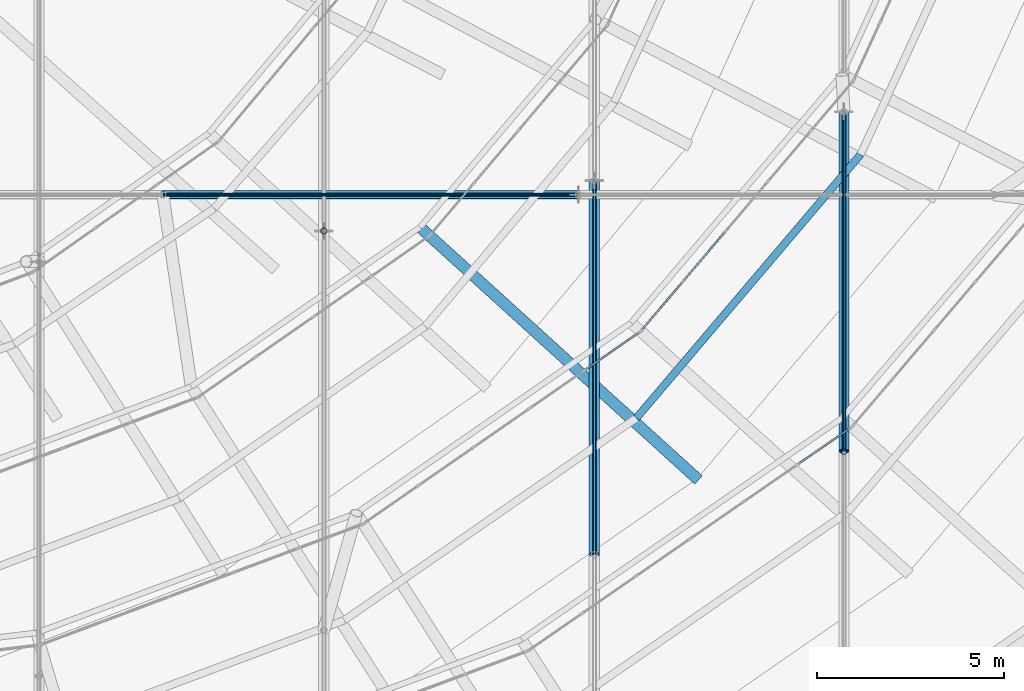
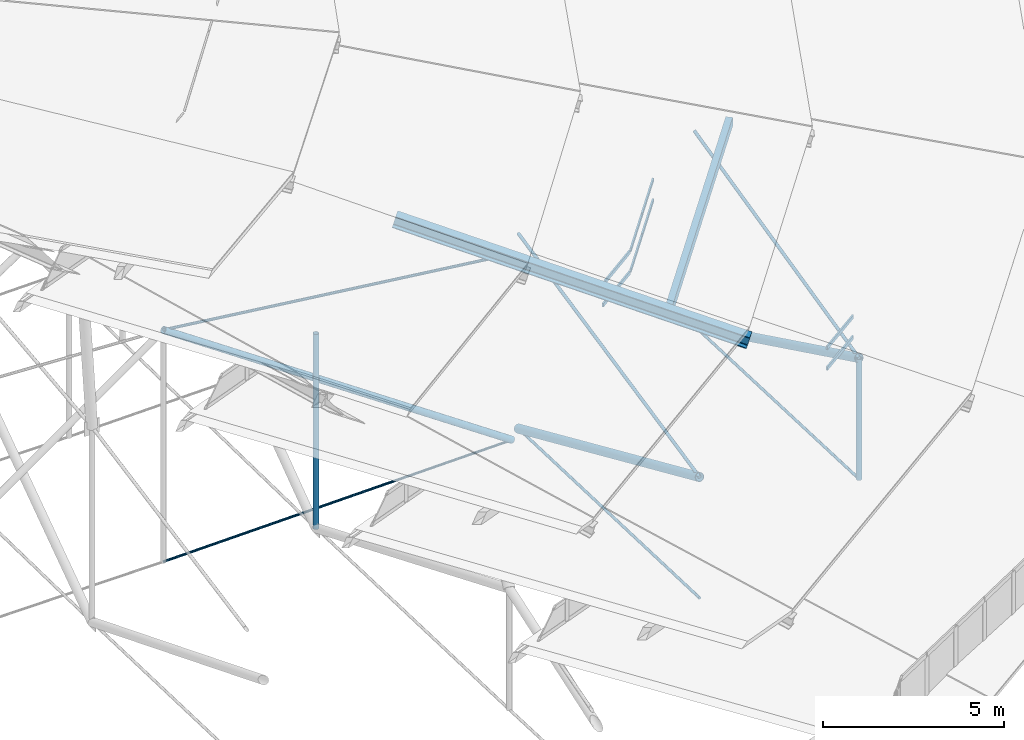
# One storey, part 78 of 173: 21 members, 3 elements without a shape of their own.
"""IFC4 building model written with IfcOpenShell, lengths in metres."""

from ifc_helpers import new_model, si_unit, direction, frame, origin, origin_2d, place, context, subcontext, project, spatial, rectangle, hollow_rectangle, circle, hollow_circle, i_section, extrude, material, material_profile, profile_set, type_object, element, aggregate, save


model = new_model("IFC4")

# Units and contexts
model_context = context("Model", 3, precision=1e-05, world=origin(), true_north=direction((0.0, 1.0)))
body_context = subcontext(model_context, "Body", "Model", "MODEL_VIEW")
ifc_project = project(units=[si_unit("LENGTHUNIT", "METRE"), si_unit("AREAUNIT", "SQUARE_METRE"), si_unit("VOLUMEUNIT", "CUBIC_METRE"), si_unit("PLANEANGLEUNIT", "RADIAN"), si_unit("MASSUNIT", "GRAM", prefix="KILO")], contexts=[model_context])

# Site, building, storey
site_placement = place(None, origin())
site = spatial("IfcSite", under=ifc_project, at=site_placement, CompositionType="ELEMENT")
building_placement = place(site_placement, origin())
building = spatial("IfcBuilding", under=site, at=building_placement, Name="Glasvene Arena", CompositionType="ELEMENT")
storey_placement = place(building_placement, frame((0.0, 0.0, 28.800048828125)))
storey = spatial("IfcBuildingStorey", under=building, at=storey_placement, Name="RF", CompositionType="ELEMENT", Elevation=28.800048828125)

# Curtain wall, members
ifc_material_1 = material(Name="Low-emissivity laminated double glazing", Category="glass")
curtain_wall_type_1 = type_object("IfcCurtainWallType", Name="CW-PET1-1054x75", PredefinedType="USERDEFINED", material=ifc_material_1)
curtain_wall_1_placement = place(storey_placement, frame((112.925048828125, 40.350830078125, 0.0)))
curtain_wall_1 = element("IfcCurtainWall", 1, at=curtain_wall_1_placement, inside=storey, type_object=curtain_wall_type_1, Name="Petal ring 1-2 clerestory curtain wall 21", ObjectType="CURTAIN WALL", PredefinedType="USERDEFINED")
ifc_material_2 = material(Name="Anodised architectural aluminium", Category="aluminium")
ifc_material_profile_1 = material_profile(ifc_material_2, rectangle(XDim=0.050048828125, YDim=0.1201171875, at=origin_2d()), Name="ALU TRANSOM 50x120")
ifc_profile_set_1 = profile_set([ifc_material_profile_1], Name="Anodised architectural aluminium")
member_type_1 = type_object("IfcMemberType", Name="CW-TRN-120", PredefinedType="USERDEFINED", material=ifc_profile_set_1)
member_1_placement = place(storey_placement, frame((120.16845703125, 45.357666015625, 2.60498046875), z_axis=(0.822547539118, 0.568696356495, 0.0), x_axis=(-0.568696356495, 0.822547539118, 0.0)))
member_1 = element("IfcMember", 2, at=member_1_placement, type_object=member_type_1, Name="CW-084 transom 6.1", ObjectType="TRANSOM", PredefinedType="USERDEFINED", context=body_context, shape_type="SweptSolid", body=[
    extrude(rectangle(XDim=0.050048828125, YDim=0.1201171875, at=origin_2d()), origin(), (0.0, 0.0, 1.0), 1.68115234375),
])
member_2_placement = place(storey_placement, frame((120.16845703125, 45.357666015625, 3.304931640625), z_axis=(0.822547539118, 0.568696356495, 0.0), x_axis=(-0.568696356495, 0.822547539118, 0.0)))
member_2 = element("IfcMember", 3, at=member_2_placement, type_object=member_type_1, Name="CW-084 transom 6.2", ObjectType="TRANSOM", PredefinedType="USERDEFINED", context=body_context, shape_type="SweptSolid", body=[
    extrude(rectangle(XDim=0.050048828125, YDim=0.1201171875, at=origin_2d()), origin(), (0.0, 0.0, 1.0), 1.68115234375),
])
aggregate(curtain_wall_1, [member_1, member_2])

curtain_wall_type_2 = type_object("IfcCurtainWallType", Name="CW-PET2-905x75", PredefinedType="USERDEFINED", material=ifc_material_1)
curtain_wall_2_placement = place(storey_placement, frame((108.5, 43.74755859375, 0.0)))
curtain_wall_2 = element("IfcCurtainWall", 4, at=curtain_wall_2_placement, inside=storey, type_object=curtain_wall_type_2, Name="Petal ring 2-3 clerestory curtain wall 21", ObjectType="CURTAIN WALL", PredefinedType="USERDEFINED")
member_3_placement = place(storey_placement, frame((114.468505859375, 47.88720703125, 5.204833984375), z_axis=(0.821690330378, 0.569934207575, 0.0), x_axis=(-0.569934207575, 0.821690330378, 0.0)))
member_3 = element("IfcMember", 5, at=member_3_placement, type_object=member_type_1, Name="CW-090 transom 5.1", ObjectType="TRANSOM", PredefinedType="USERDEFINED", context=body_context, shape_type="SweptSolid", body=[
    extrude(rectangle(XDim=0.050048828125, YDim=0.1201171875, at=origin_2d()), origin(), (0.0, 0.0, 1.0), 1.73486328125),
])
member_4_placement = place(storey_placement, frame((114.468505859375, 47.88720703125, 5.905029296875), z_axis=(0.821690330378, 0.569934207575, 0.0), x_axis=(-0.569934207575, 0.821690330378, 0.0)))
member_4 = element("IfcMember", 6, at=member_4_placement, type_object=member_type_1, Name="CW-090 transom 5.2", ObjectType="TRANSOM", PredefinedType="USERDEFINED", context=body_context, shape_type="SweptSolid", body=[
    extrude(rectangle(XDim=0.050048828125, YDim=0.1201171875, at=origin_2d()), origin(), (0.0, 0.0, 1.0), 1.73486328125),
])
aggregate(curtain_wall_2, [member_3, member_4])

curtain_wall_type_3 = type_object("IfcCurtainWallType", Name="CW-PET2-882x75", PredefinedType="USERDEFINED", material=ifc_material_1)
curtain_wall_3_placement = place(storey_placement, frame((115.93505859375, 48.904296875, 0.0)))
curtain_wall_3 = element("IfcCurtainWall", 7, at=curtain_wall_3_placement, inside=storey, type_object=curtain_wall_type_3, Name="Petal ring 2-3 clerestory curtain wall 22", ObjectType="CURTAIN WALL", PredefinedType="USERDEFINED")
member_5_placement = place(storey_placement, frame((115.967529296875, 48.942626953125, 5.204833984375), z_axis=(0.647199107882, 0.762321005061, 0.0), x_axis=(-0.762321005061, 0.647199107882, 0.0)))
member_5 = element("IfcMember", 8, at=member_5_placement, type_object=member_type_1, Name="CW-089 transom 1.1", ObjectType="TRANSOM", PredefinedType="USERDEFINED", context=body_context, shape_type="SweptSolid", body=[
    extrude(rectangle(XDim=0.050048828125, YDim=0.1201171875, at=origin_2d()), origin(), (0.0, 0.0, 1.0), 1.68798828125),
])
member_6_placement = place(storey_placement, frame((115.967529296875, 48.942626953125, 5.905029296875), z_axis=(0.647199107882, 0.762321005061, 0.0), x_axis=(-0.762321005061, 0.647199107882, 0.0)))
member_6 = element("IfcMember", 9, at=member_6_placement, type_object=member_type_1, Name="CW-089 transom 1.2", ObjectType="TRANSOM", PredefinedType="USERDEFINED", context=body_context, shape_type="SweptSolid", body=[
    extrude(rectangle(XDim=0.050048828125, YDim=0.1201171875, at=origin_2d()), origin(), (0.0, 0.0, 1.0), 1.68798828125),
])
member_7_placement = place(storey_placement, frame((117.09228515625, 50.267578125, 5.204833984375), z_axis=(0.647180817857, 0.76233653264, 0.0), x_axis=(-0.76233653264, 0.647180817857, 0.0)))
member_7 = element("IfcMember", 10, at=member_7_placement, type_object=member_type_1, Name="CW-089 transom 2.1", ObjectType="TRANSOM", PredefinedType="USERDEFINED", context=body_context, shape_type="SweptSolid", body=[
    extrude(rectangle(XDim=0.050048828125, YDim=0.1201171875, at=origin_2d()), origin(), (0.0, 0.0, 1.0), 1.713134765625),
])
member_8_placement = place(storey_placement, frame((117.09228515625, 50.267578125, 5.905029296875), z_axis=(0.647180817857, 0.76233653264, 0.0), x_axis=(-0.76233653264, 0.647180817857, 0.0)))
member_8 = element("IfcMember", 11, at=member_8_placement, type_object=member_type_1, Name="CW-089 transom 2.2", ObjectType="TRANSOM", PredefinedType="USERDEFINED", context=body_context, shape_type="SweptSolid", body=[
    extrude(rectangle(XDim=0.050048828125, YDim=0.1201171875, at=origin_2d()), origin(), (0.0, 0.0, 1.0), 1.713134765625),
])
aggregate(curtain_wall_3, [member_5, member_6, member_7, member_8])

# Members
ifc_material_3 = material(Name="High-strength steel spiral strand S460", Category="steel")
ifc_material_profile_2 = material_profile(ifc_material_3, circle(Radius=0.052490234375, at=origin_2d()), Name="LCSS D105")
ifc_profile_set_2 = profile_set([ifc_material_profile_2], Name="High-strength steel spiral strand S460")
member_type_2 = type_object("IfcMemberType", Name="MB-CABLE-105", PredefinedType="USERDEFINED", material=ifc_profile_set_2)
member_9_placement = place(storey_placement, frame((121.389404296875, 45.69580078125, 2.328857421875), z_axis=(0.0, 0.973356181903, 0.229298371455), x_axis=(-1.0, 0.0, 0.0)))
element("IfcMember", 12, at=member_9_placement, inside=storey, type_object=member_type_2, Name="Upper lens roof cable NS01-02", ObjectType="ROOF CABLE", PredefinedType="USERDEFINED", context=body_context, shape_type="SweptSolid", body=[
    extrude(circle(Radius=0.052490234375, at=origin_2d()), origin(), (0.0, 0.0, 1.0), 9.350341796875),
])
member_10_placement = place(storey_placement, frame((114.699462890625, 42.928466796875, 2.328857421875), z_axis=(0.0, 0.977881115571, 0.209161477835), x_axis=(-1.0, 0.0, 0.0)))
element("IfcMember", 13, at=member_10_placement, inside=storey, type_object=member_type_2, Name="Upper lens roof cable NS02-02", ObjectType="ROOF CABLE", PredefinedType="USERDEFINED", context=body_context, shape_type="SweptSolid", body=[
    extrude(circle(Radius=0.052490234375, at=origin_2d()), origin(), (0.0, 0.0, 1.0), 10.250732421875),
])
ifc_material_profile_3 = material_profile(ifc_material_3, circle(Radius=0.03759765625, at=origin_2d()), Name="LCSS D75")
ifc_profile_set_3 = profile_set([ifc_material_profile_3], Name="High-strength steel spiral strand S460")
member_type_3 = type_object("IfcMemberType", Name="MB-CABLE-75", PredefinedType="USERDEFINED", material=ifc_profile_set_3)
member_11_placement = place(storey_placement, frame((103.1376953125, 52.5703125, -2.328125), z_axis=(0.999812725831, 0.0, 0.019352345227), x_axis=(0.0, 1.0, 0.0)))
element("IfcMember", 14, at=member_11_placement, inside=storey, type_object=member_type_3, Name="Lower stabilization roof cable EW01-06", ObjectType="ROOF CABLE", PredefinedType="USERDEFINED", context=body_context, shape_type="SweptSolid", body=[
    extrude(circle(Radius=0.03759765625, at=origin_2d()), origin(), (0.0, 0.0, 1.0), 11.1396484375),
])
ifc_material_profile_4 = material_profile(ifc_material_3, circle(Radius=0.044921875, at=origin_2d()), Name="LCSS D90")
ifc_profile_set_4 = profile_set([ifc_material_profile_4], Name="High-strength steel spiral strand S460")
member_type_4 = type_object("IfcMemberType", Name="MB-CABLE-90", PredefinedType="USERDEFINED", material=ifc_profile_set_4)
member_12_placement = place(storey_placement, frame((121.389404296875, 45.69580078125, -1.753173828125), z_axis=(0.0, 0.999221336832, -0.039455291392), x_axis=(-1.0, 0.0, 0.0)))
element("IfcMember", 15, at=member_12_placement, inside=storey, type_object=member_type_4, Name="Lower stabilization roof cable NS01-02", ObjectType="ROOF CABLE", PredefinedType="USERDEFINED", context=body_context, shape_type="SweptSolid", body=[
    extrude(circle(Radius=0.044921875, at=origin_2d()), origin(), (0.0, 0.0, 1.0), 9.1083984375),
])
member_13_placement = place(storey_placement, frame((114.699462890625, 42.928466796875, -1.753173828125), z_axis=(0.0, 0.999357945896, -0.035828703209), x_axis=(-1.0, 0.0, 0.0)))
element("IfcMember", 16, at=member_13_placement, inside=storey, type_object=member_type_4, Name="Lower stabilization roof cable NS02-02", ObjectType="ROOF CABLE", PredefinedType="USERDEFINED", context=body_context, shape_type="SweptSolid", body=[
    extrude(circle(Radius=0.044921875, at=origin_2d()), origin(), (0.0, 0.0, 1.0), 10.0302734375),
])
member_14_placement = place(storey_placement, frame((103.1376953125, 52.5703125, 5.499267578125), z_axis=(0.992921261552, 0.0, -0.118774443199), x_axis=(0.0, 1.0, 0.0)))
element("IfcMember", 17, at=member_14_placement, inside=storey, type_object=member_type_4, Name="Upper lens roof cable EW01-06", ObjectType="ROOF CABLE", PredefinedType="USERDEFINED", context=body_context, shape_type="SweptSolid", body=[
    extrude(circle(Radius=0.044921875, at=origin_2d()), origin(), (0.0, 0.0, 1.0), 11.216796875),
])
ifc_material_4 = material(Name="Steel S355J2", Category="steel")
ifc_material_profile_5 = material_profile(ifc_material_4, i_section(OverallWidth=0.300048828125, OverallDepth=0.39990234375, WebThickness=0.013427734375, FlangeThickness=0.02392578125, FilletRadius=0.027099609375, at=origin_2d()), Name="HEB 400")
ifc_profile_set_5 = profile_set([ifc_material_profile_5], Name="Steel S355J2")
member_type_5 = type_object("IfcMemberType", Name="MB-CHORD-HEB400", PredefinedType="CHORD", material=ifc_profile_set_5)
member_15_placement = place(storey_placement, frame((117.455078125, 44.961181640625, 4.75), z_axis=(-0.716730167229, 0.650621584181, 0.25097693436), x_axis=(-0.672134549443, -0.74042902931, 0.0)))
element("IfcMember", 18, at=member_15_placement, inside=storey, type_object=member_type_5, Name="Petal ring 3 radial rib 22", PredefinedType="CHORD", context=body_context, shape_type="SweptSolid", body=[
    extrude(i_section(OverallWidth=0.300048828125, OverallDepth=0.39990234375, WebThickness=0.013427734375, FlangeThickness=0.02392578125, FilletRadius=0.027099609375, at=origin_2d()), origin(), (0.0, 0.0, 1.0), 10.35888671875),
])
ifc_material_profile_6 = material_profile(ifc_material_4, hollow_rectangle(XDim=0.199951171875, YDim=0.300048828125, WallThickness=0.012451171875, at=origin_2d()), Name="RHS 300x200x12.5")
ifc_profile_set_6 = profile_set([ifc_material_profile_6], Name="Steel S355J2")
member_type_6 = type_object("IfcMemberType", Name="MB-PURLIN-RHS300", PredefinedType="PURLIN", material=ifc_profile_set_6)
member_16_placement = place(storey_placement, frame((115.82861328125, 46.587646484375, 5.33935546875), z_axis=(0.647909031053, 0.761717721653, 0.0), x_axis=(-0.761717721653, 0.647909031053, 0.0)))
element("IfcMember", 19, at=member_16_placement, inside=storey, type_object=member_type_6, Name="Petal ring 3 outer purlin 22", PredefinedType="PURLIN", context=body_context, shape_type="SweptSolid", body=[
    extrude(hollow_rectangle(XDim=0.199951171875, YDim=0.300048828125, WallThickness=0.012451171875, at=origin_2d()), origin(), (0.0, 0.0, 1.0), 9.271484375),
])
ifc_material_profile_7 = material_profile(ifc_material_4, hollow_circle(Radius=0.084228515625, WallThickness=0.008056640625, at=origin_2d()), Name="CHS 168.3x8.0")
ifc_profile_set_7 = profile_set([ifc_material_profile_7], Name="Steel S355J2")
member_type_7 = type_object("IfcMemberType", Name="MB-WEB-CHS168", PredefinedType="BRACE", material=ifc_profile_set_7)
member_17_placement = place(storey_placement, frame((121.389404296875, 45.69580078125, -1.753173828125), z_axis=(0.0, 0.0, 1.0), x_axis=(1.0, 0.0, 0.0)))
element("IfcMember", 20, at=member_17_placement, inside=storey, type_object=member_type_7, Name="Cable-truss vertical strut NS01-01", PredefinedType="BRACE", context=body_context, shape_type="SweptSolid", body=[
    extrude(hollow_circle(Radius=0.084228515625, WallThickness=0.008056640625, at=origin_2d()), origin(), (0.0, 0.0, 1.0), 4.08203125),
])
member_18_placement = place(storey_placement, frame((107.45068359375, 51.601318359375, -2.112548828125), z_axis=(0.0, 0.0, 1.0), x_axis=(1.0, 0.0, 0.0)))
element("IfcMember", 21, at=member_18_placement, inside=storey, type_object=member_type_7, Name="Cable-truss vertical strut NS03-02", PredefinedType="BRACE", context=body_context, shape_type="SweptSolid", body=[
    extrude(hollow_circle(Radius=0.084228515625, WallThickness=0.008056640625, at=origin_2d()), origin(), (0.0, 0.0, 1.0), 6.58544921875),
])
ifc_material_profile_8 = material_profile(ifc_material_4, hollow_circle(Radius=0.109619140625, WallThickness=0.010009765625, at=origin_2d()), Name="CHS 219.1x10.0")
ifc_profile_set_8 = profile_set([ifc_material_profile_8], Name="Steel S355J2")
member_type_8 = type_object("IfcMemberType", Name="MB-WEB-CHS219", PredefinedType="BRACE", material=ifc_profile_set_8)
member_19_placement = place(storey_placement, frame((103.1376953125, 52.5703125, 5.499267578125), z_axis=(0.825602347072, 0.0, -0.564252394332), x_axis=(0.0, 1.0, 0.0)))
element("IfcMember", 22, at=member_19_placement, inside=storey, type_object=member_type_8, Name="Cable-truss diagonal web strut EW01-06", PredefinedType="BRACE", context=body_context, shape_type="SweptSolid", body=[
    extrude(hollow_circle(Radius=0.109619140625, WallThickness=0.010009765625, at=origin_2d()), origin(), (0.0, 0.0, 1.0), 13.489990234375),
])
ifc_material_profile_9 = material_profile(ifc_material_4, hollow_circle(Radius=0.136474609375, WallThickness=0.012451171875, at=origin_2d()), Name="CHS 273.0x12.5")
ifc_profile_set_9 = profile_set([ifc_material_profile_9], Name="Steel S355J2")
member_type_9 = type_object("IfcMemberType", Name="MB-WEB-CHS273", PredefinedType="BRACE", material=ifc_profile_set_9)
member_20_placement = place(storey_placement, frame((121.389404296875, 45.69580078125, 2.328857421875), z_axis=(0.0, 0.898700781231, -0.438562316912), x_axis=(-1.0, 0.0, 0.0)))
element("IfcMember", 23, at=member_20_placement, inside=storey, type_object=member_type_9, Name="Cable-truss diagonal web strut NS01-02", PredefinedType="BRACE", context=body_context, shape_type="SweptSolid", body=[
    extrude(hollow_circle(Radius=0.136474609375, WallThickness=0.012451171875, at=origin_2d()), origin(), (0.0, 0.0, 1.0), 10.127197265625),
])
member_21_placement = place(storey_placement, frame((114.699462890625, 42.928466796875, 2.328857421875), z_axis=(0.0, 0.914273759487, -0.405096892995), x_axis=(-1.0, 0.0, 0.0)))
element("IfcMember", 24, at=member_21_placement, inside=storey, type_object=member_type_9, Name="Cable-truss diagonal web strut NS02-02", PredefinedType="BRACE", context=body_context, shape_type="SweptSolid", body=[
    extrude(hollow_circle(Radius=0.136474609375, WallThickness=0.012451171875, at=origin_2d()), origin(), (0.0, 0.0, 1.0), 10.9638671875),
])

save(model, "model.ifc")
